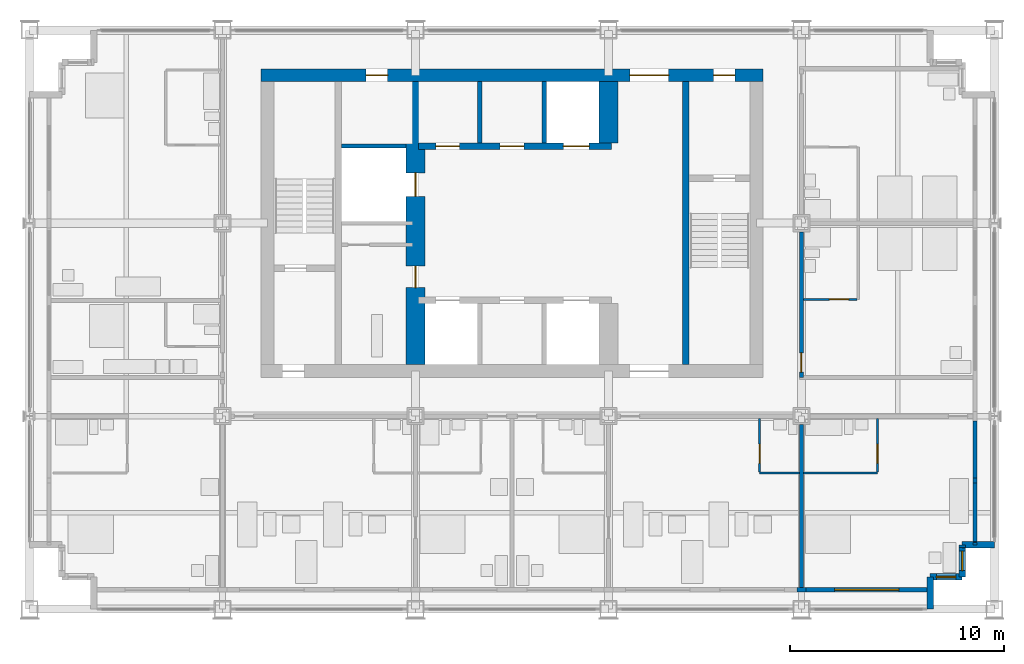
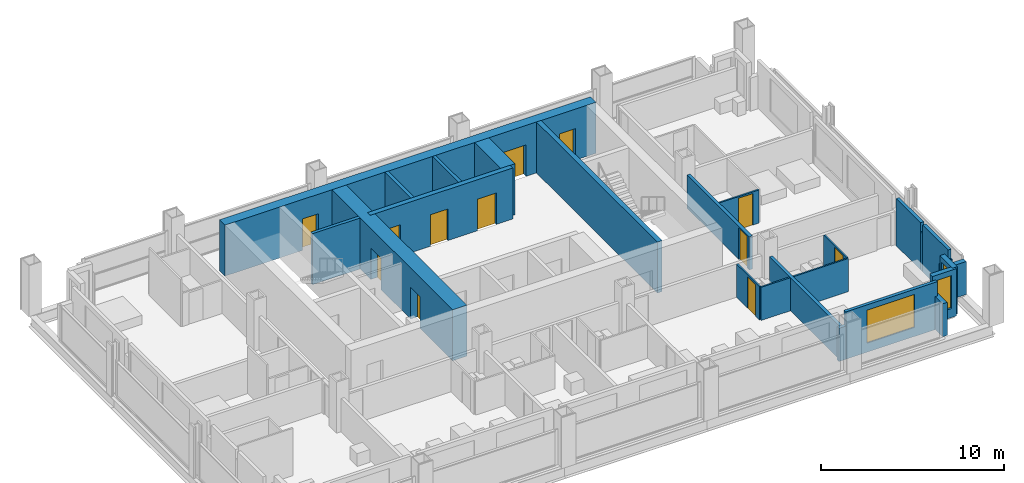
# One storey, part 9 of 13: 26 walls, 12 doors, 3 windows, 15 openings.
"""IFC4 building model written with IfcOpenShell, lengths in metres."""

from ifc_helpers import new_model, si_unit, direction, frame, frame_2d, origin, place, context, subcontext, project, spatial, rectangle, extrude, material, layer, layer_set, type_object, element, fill, save


model = new_model("IFC4")

# Units and contexts
model_context = context("Model", 3, precision=1e-05, world=origin(), true_north=direction((0.0, 1.0)))
body_context = subcontext(model_context, "Body", "Model", "MODEL_VIEW")
ifc_project = project(units=[si_unit("LENGTHUNIT", "METRE"), si_unit("AREAUNIT", "SQUARE_METRE"), si_unit("VOLUMEUNIT", "CUBIC_METRE"), si_unit("PLANEANGLEUNIT", "RADIAN"), si_unit("MASSUNIT", "GRAM", prefix="KILO")], contexts=[model_context])

# Site, building, storey
site_placement = place(None, origin())
site = spatial("IfcSite", under=ifc_project, at=site_placement, CompositionType="ELEMENT")
building_placement = place(site_placement, origin())
building = spatial("IfcBuilding", under=site, at=building_placement, Name="Loomwork Tower", CompositionType="ELEMENT")
storey_placement = place(building_placement, frame((0.0, 0.0, 218.199951171875)))
storey = spatial("IfcBuildingStorey", under=building, at=storey_placement, Name="L60", CompositionType="ELEMENT", Elevation=218.199951171875)

# Wall, openings, doors
ifc_material_1 = material(Name="Concrete 14000 psi (97 MPa)", Category="concrete")
ifc_layer_1 = layer(ifc_material_1, 0.300048828125)
ifc_layer_set_1 = layer_set([ifc_layer_1], Name="Core shear wall 300")
wall_type_1 = type_object("IfcWallType", Name="Core shear wall 300", PredefinedType="SHEAR", material=ifc_layer_set_1)
wall_1_placement = place(storey_placement, frame((18.14990234375, 21.60009765625, 0.0), z_axis=(0.0, 0.0, 1.0), x_axis=(1.0, 0.0, 0.0)))
wall_1 = element("IfcWall", 1, at=wall_1_placement, inside=storey, type_object=wall_type_1, Name="Lift front wall north L60", PredefinedType="SHEAR", context=body_context, shape_type="SweptSolid", body=[
    extrude(rectangle(XDim=9.0, YDim=0.300048828125, at=frame_2d((4.5, 0.0))), origin(), (0.0, 0.0, 1.0), 3.400146484375),
])
opening_1_placement = place(wall_1_placement, frame((6.75, 0.0, 0.0)))
opening_1 = element("IfcOpeningElement", 2, at=opening_1_placement, cuts=wall_1, Name="Opening LD2", PredefinedType="OPENING", context=body_context, shape_type="SweptSolid", body=[
    extrude(rectangle(XDim=1.199951171875, YDim=2.10009765625, at=frame_2d((0.60009765625, 1.050048828125))), frame((0.0, 0.159912109375, 0.0), z_axis=(0.0, -1.0, 0.0), x_axis=(1.0, 0.0, 0.0)), (0.0, 0.0, 1.0), 0.320068359375),
])
opening_2_placement = place(wall_1_placement, frame((0.800048828125, 0.0, 0.0)))
opening_2 = element("IfcOpeningElement", 3, at=opening_2_placement, cuts=wall_1, Name="Opening D17", PredefinedType="OPENING", context=body_context, shape_type="SweptSolid", body=[
    extrude(rectangle(XDim=1.10009765625, YDim=2.10009765625, at=frame_2d((0.550048828125, 1.050048828125))), frame((0.0, 0.159912109375, 0.0), z_axis=(0.0, -1.0, 0.0), x_axis=(1.0, 0.0, 0.0)), (0.0, 0.0, 1.0), 0.320068359375),
])
opening_3_placement = place(wall_1_placement, frame((3.800048828125, 0.0, 0.0)))
opening_3 = element("IfcOpeningElement", 4, at=opening_3_placement, cuts=wall_1, Name="Opening D17", PredefinedType="OPENING", context=body_context, shape_type="SweptSolid", body=[
    extrude(rectangle(XDim=1.10009765625, YDim=2.10009765625, at=frame_2d((0.550048828125, 1.050048828125))), frame((0.0, 0.159912109375, 0.0), z_axis=(0.0, -1.0, 0.0), x_axis=(1.0, 0.0, 0.0)), (0.0, 0.0, 1.0), 0.320068359375),
])
ifc_material_2 = material(Name="Hollow metal door and frame")
door_type_1 = type_object("IfcDoorType", Name="Lift landing door 1200", OperationType="SLIDING_TO_LEFT", PredefinedType="DOOR", material=ifc_material_2)
door_1_placement = place(opening_1_placement, origin())
door_1 = element("IfcDoor", 5, at=door_1_placement, inside=storey, type_object=door_type_1, Name="Lift landing door LF2", OperationType="SLIDING_TO_LEFT", OverallHeight=2.10009765625, OverallWidth=1.199951171875, PredefinedType="DOOR", context=body_context, shape_type="SweptSolid", body=[
    extrude(rectangle(XDim=1.199951171875, YDim=2.10009765625, at=frame_2d((0.60009765625, 1.050048828125))), frame((0.0, 0.02490234375, 0.0), z_axis=(0.0, -1.0, 0.0), x_axis=(1.0, 0.0, 0.0)), (0.0, 0.0, 1.0), 0.050048828125),
])
fill(opening_1, door_1)
ifc_material_3 = material(Name="Hollow metal door and frame")
door_type_2 = type_object("IfcDoorType", Name="Service room door 1100", OperationType="SINGLE_SWING_LEFT", PredefinedType="DOOR", material=ifc_material_3)
door_2_placement = place(opening_2_placement, origin())
door_2 = element("IfcDoor", 6, at=door_2_placement, inside=storey, type_object=door_type_2, Name="Linen and housekeeping store door L60", OperationType="SINGLE_SWING_LEFT", OverallHeight=2.10009765625, OverallWidth=1.10009765625, PredefinedType="DOOR", context=body_context, shape_type="SweptSolid", body=[
    extrude(rectangle(XDim=1.10009765625, YDim=2.10009765625, at=frame_2d((0.550048828125, 1.050048828125))), frame((0.0, 0.02490234375, 0.0), z_axis=(0.0, -1.0, 0.0), x_axis=(1.0, 0.0, 0.0)), (0.0, 0.0, 1.0), 0.050048828125),
])
fill(opening_2, door_2)
door_3_placement = place(opening_3_placement, origin())
door_3 = element("IfcDoor", 7, at=door_3_placement, inside=storey, type_object=door_type_2, Name="IT and communications room door L60", OperationType="SINGLE_SWING_LEFT", OverallHeight=2.10009765625, OverallWidth=1.10009765625, PredefinedType="DOOR", context=body_context, shape_type="SweptSolid", body=[
    extrude(rectangle(XDim=1.10009765625, YDim=2.10009765625, at=frame_2d((0.550048828125, 1.050048828125))), frame((0.0, 0.02490234375, 0.0), z_axis=(0.0, -1.0, 0.0), x_axis=(1.0, 0.0, 0.0)), (0.0, 0.0, 1.0), 0.050048828125),
])
fill(opening_3, door_3)

# Wall
wall_2_placement = place(storey_placement, frame((30.60009765625, 11.39990234375, 0.0), z_axis=(0.0, 0.0, 1.0), x_axis=(0.0, 1.0, 0.0)))
element("IfcWall", 8, at=wall_2_placement, inside=storey, type_object=wall_type_1, Name="Stair B west wall L60", PredefinedType="SHEAR", context=body_context, shape_type="SweptSolid", body=[
    extrude(rectangle(XDim=13.2001953125, YDim=0.300048828125, at=frame_2d((6.60009765625, 0.0))), origin(), (0.0, 0.0, 1.0), 3.400146484375),
])

# Wall, openings, doors
ifc_material_4 = material(Name="Concrete 14000 psi (97 MPa)", Category="concrete")
ifc_layer_2 = layer(ifc_material_4, 0.60009765625)
ifc_layer_set_2 = layer_set([ifc_layer_2], Name="Core shear wall 600")
wall_type_2 = type_object("IfcWallType", Name="Core shear wall 600", PredefinedType="SHEAR", material=ifc_layer_set_2)
wall_3_placement = place(storey_placement, frame((10.800048828125, 24.89990234375, 0.0), z_axis=(0.0, 0.0, 1.0), x_axis=(1.0, 0.0, 0.0)))
wall_3 = element("IfcWall", 9, at=wall_3_placement, inside=storey, type_object=wall_type_2, Name="Core wall north L60", PredefinedType="SHEAR", context=body_context, shape_type="SweptSolid", body=[
    extrude(rectangle(XDim=23.39990234375, YDim=0.60009765625, at=frame_2d((11.699951171875, 0.0))), origin(), (0.0, 0.0, 1.0), 3.400146484375),
])
opening_4_placement = place(wall_3_placement, frame((17.199951171875, 0.0, 0.0)))
opening_4 = element("IfcOpeningElement", 10, at=opening_4_placement, cuts=wall_3, Name="Opening D6", PredefinedType="OPENING", context=body_context, shape_type="SweptSolid", body=[
    extrude(rectangle(XDim=1.800048828125, YDim=2.10009765625, at=frame_2d((0.89990234375, 1.050048828125))), frame((0.0, 0.31005859375, 0.0), z_axis=(0.0, -1.0, 0.0), x_axis=(1.0, 0.0, 0.0)), (0.0, 0.0, 1.0), 0.6201171875),
])
opening_5_placement = place(wall_3_placement, frame((21.10009765625, 0.0, 0.0)))
opening_5 = element("IfcOpeningElement", 11, at=opening_5_placement, cuts=wall_3, Name="Opening D4", PredefinedType="OPENING", context=body_context, shape_type="SweptSolid", body=[
    extrude(rectangle(XDim=1.0, YDim=2.10009765625, at=frame_2d((0.5, 1.050048828125))), frame((0.0, 0.31005859375, 0.0), z_axis=(0.0, -1.0, 0.0), x_axis=(1.0, 0.0, 0.0)), (0.0, 0.0, 1.0), 0.6201171875),
])
opening_6_placement = place(wall_3_placement, frame((4.89990234375, 0.0, 0.0)))
opening_6 = element("IfcOpeningElement", 12, at=opening_6_placement, cuts=wall_3, Name="Opening D5", PredefinedType="OPENING", context=body_context, shape_type="SweptSolid", body=[
    extrude(rectangle(XDim=1.0, YDim=2.10009765625, at=frame_2d((0.5, 1.050048828125))), frame((0.0, 0.31005859375, 0.0), z_axis=(0.0, -1.0, 0.0), x_axis=(1.0, 0.0, 0.0)), (0.0, 0.0, 1.0), 0.6201171875),
])
ifc_material_5 = material(Name="Hollow metal door and frame")
door_type_3 = type_object("IfcDoorType", Name="Lobby passage double door 1800", OperationType="DOUBLE_DOOR_SINGLE_SWING", PredefinedType="DOOR", material=ifc_material_5)
door_4_placement = place(opening_4_placement, frame((1.800048828125, 0.0, 0.0), z_axis=(0.0, 0.0, 1.0), x_axis=(-1.0, 0.0, 0.0)))
door_4 = element("IfcDoor", 13, at=door_4_placement, inside=storey, type_object=door_type_3, Name="Lobby passage door north", OperationType="DOUBLE_DOOR_SINGLE_SWING", OverallHeight=2.10009765625, OverallWidth=1.800048828125, PredefinedType="DOOR", context=body_context, shape_type="SweptSolid", body=[
    extrude(rectangle(XDim=1.800048828125, YDim=2.10009765625, at=frame_2d((0.89990234375, 1.050048828125))), frame((0.0, 0.02490234375, 0.0), z_axis=(0.0, -1.0, 0.0), x_axis=(1.0, 0.0, 0.0)), (0.0, 0.0, 1.0), 0.050048828125),
])
fill(opening_4, door_4)
ifc_material_6 = material(Name="Hollow metal door and frame")
door_type_4 = type_object("IfcDoorType", Name="Service door 1000", OperationType="SINGLE_SWING_LEFT", PredefinedType="DOOR", material=ifc_material_6)
door_5_placement = place(opening_6_placement, frame((1.0, 0.0, 0.0), z_axis=(0.0, 0.0, 1.0), x_axis=(-1.0, 0.0, 0.0)))
door_5 = element("IfcDoor", 14, at=door_5_placement, inside=storey, type_object=door_type_4, Name="Back-of-house door north", OperationType="SINGLE_SWING_LEFT", OverallHeight=2.10009765625, OverallWidth=1.0, PredefinedType="DOOR", context=body_context, shape_type="SweptSolid", body=[
    extrude(rectangle(XDim=1.0, YDim=2.10009765625, at=frame_2d((0.5, 1.050048828125))), frame((0.0, 0.02490234375, 0.0), z_axis=(0.0, -1.0, 0.0), x_axis=(1.0, 0.0, 0.0)), (0.0, 0.0, 1.0), 0.050048828125),
])
fill(opening_6, door_5)
ifc_material_7 = material(Name="Hollow metal door and frame")
door_type_5 = type_object("IfcDoorType", Name="Stair door 1000", OperationType="SINGLE_SWING_RIGHT", PredefinedType="DOOR", material=ifc_material_7)
door_6_placement = place(opening_5_placement, frame((1.0, 0.0, 0.0), z_axis=(0.0, 0.0, 1.0), x_axis=(-1.0, 0.0, 0.0)))
door_6 = element("IfcDoor", 15, at=door_6_placement, inside=storey, type_object=door_type_5, Name="Stair B vestibule door", OperationType="SINGLE_SWING_LEFT", OverallHeight=2.10009765625, OverallWidth=1.0, PredefinedType="DOOR", context=body_context, shape_type="SweptSolid", body=[
    extrude(rectangle(XDim=1.0, YDim=2.10009765625, at=frame_2d((0.5, 1.050048828125))), frame((0.0, 0.02490234375, 0.0), z_axis=(0.0, -1.0, 0.0), x_axis=(1.0, 0.0, 0.0)), (0.0, 0.0, 1.0), 0.050048828125),
])
fill(opening_5, door_6)

ifc_material_8 = material(Name="Concrete 14000 psi (97 MPa)", Category="concrete")
ifc_layer_3 = layer(ifc_material_8, 0.89990234375)
ifc_layer_set_3 = layer_set([ifc_layer_3], Name="Core shear wall 900")
wall_type_3 = type_object("IfcWallType", Name="Core shear wall 900", PredefinedType="SHEAR", material=ifc_layer_set_3)
wall_4_placement = place(storey_placement, frame((18.0, 11.39990234375, 0.0), z_axis=(0.0, 0.0, 1.0), x_axis=(0.0, 1.0, 0.0)))
wall_4 = element("IfcWall", 16, at=wall_4_placement, inside=storey, type_object=wall_type_3, Name="Lobby west wall L60", PredefinedType="SHEAR", context=body_context, shape_type="SweptSolid", body=[
    extrude(rectangle(XDim=13.2001953125, YDim=0.89990234375, at=frame_2d((6.60009765625, 0.0))), origin(), (0.0, 0.0, 1.0), 3.400146484375),
])
opening_7_placement = place(wall_4_placement, frame((3.60009765625, 0.0, 0.0)))
opening_7 = element("IfcOpeningElement", 17, at=opening_7_placement, cuts=wall_4, Name="Opening D5", PredefinedType="OPENING", context=body_context, shape_type="SweptSolid", body=[
    extrude(rectangle(XDim=1.0, YDim=2.10009765625, at=frame_2d((0.5, 1.050048828125))), frame((0.0, 0.4599609375, 0.0), z_axis=(0.0, -1.0, 0.0), x_axis=(1.0, 0.0, 0.0)), (0.0, 0.0, 1.0), 0.919921875),
])
opening_8_placement = place(wall_4_placement, frame((7.85009765625, 0.0, 0.0)))
opening_8 = element("IfcOpeningElement", 18, at=opening_8_placement, cuts=wall_4, Name="Opening LD1", PredefinedType="OPENING", context=body_context, shape_type="SweptSolid", body=[
    extrude(rectangle(XDim=1.10009765625, YDim=2.10009765625, at=frame_2d((0.550048828125, 1.050048828125))), frame((0.0, 0.4599609375, 0.0), z_axis=(0.0, -1.0, 0.0), x_axis=(1.0, 0.0, 0.0)), (0.0, 0.0, 1.0), 0.919921875),
])
ifc_material_9 = material(Name="Hollow metal door and frame")
door_type_6 = type_object("IfcDoorType", Name="Lift landing door 1100", OperationType="SLIDING_TO_LEFT", PredefinedType="DOOR", material=ifc_material_9)
door_7_placement = place(opening_8_placement, origin())
door_7 = element("IfcDoor", 19, at=door_7_placement, inside=storey, type_object=door_type_6, Name="Lift landing door LC2", OperationType="SLIDING_TO_LEFT", OverallHeight=2.10009765625, OverallWidth=1.10009765625, PredefinedType="DOOR", context=body_context, shape_type="SweptSolid", body=[
    extrude(rectangle(XDim=1.10009765625, YDim=2.10009765625, at=frame_2d((0.550048828125, 1.050048828125))), frame((0.0, 0.02490234375, 0.0), z_axis=(0.0, -1.0, 0.0), x_axis=(1.0, 0.0, 0.0)), (0.0, 0.0, 1.0), 0.050048828125),
])
fill(opening_8, door_7)
door_8_placement = place(opening_7_placement, origin())
door_8 = element("IfcDoor", 20, at=door_8_placement, inside=storey, type_object=door_type_4, Name="Back-of-house door south", OperationType="SINGLE_SWING_LEFT", OverallHeight=2.10009765625, OverallWidth=1.0, PredefinedType="DOOR", context=body_context, shape_type="SweptSolid", body=[
    extrude(rectangle(XDim=1.0, YDim=2.10009765625, at=frame_2d((0.5, 1.050048828125))), frame((0.0, 0.02490234375, 0.0), z_axis=(0.0, -1.0, 0.0), x_axis=(1.0, 0.0, 0.0)), (0.0, 0.0, 1.0), 0.050048828125),
])
fill(opening_7, door_8)

# Wall
wall_5_placement = place(storey_placement, frame((27.0, 21.75, 0.0), z_axis=(0.0, 0.0, 1.0), x_axis=(0.0, 1.0, 0.0)))
element("IfcWall", 21, at=wall_5_placement, inside=storey, type_object=wall_type_3, Name="Lift shaft end wall north L60", PredefinedType="SHEAR", context=body_context, shape_type="SweptSolid", body=[
    extrude(rectangle(XDim=2.85009765625, YDim=0.89990234375, at=frame_2d((1.425048828125, 0.0))), origin(), (0.0, 0.0, 1.0), 3.400146484375),
])

# Wall, opening, door
ifc_material_10 = material(Name="Gypsum board on steel studs, one-hour", Category="steel")
ifc_layer_4 = layer(ifc_material_10, 0.199951171875)
ifc_layer_set_4 = layer_set([ifc_layer_4], Name="Corridor wall 200")
wall_type_4 = type_object("IfcWallType", Name="Corridor wall 200", PredefinedType="PARTITIONING", material=ifc_layer_set_4)
wall_6_placement = place(storey_placement, frame((36.0, 10.800048828125, 0.0), z_axis=(0.0, 0.0, 1.0), x_axis=(0.0, 1.0, 0.0)))
wall_6 = element("IfcWall", 22, at=wall_6_placement, inside=storey, type_object=wall_type_4, Name="East corridor wall 1", PredefinedType="PARTITIONING", context=body_context, shape_type="SweptSolid", body=[
    extrude(rectangle(XDim=6.800048828125, YDim=0.199951171875, at=frame_2d((3.39990234375, 0.0))), origin(), (0.0, 0.0, 1.0), 2.210205078125),
])
opening_9_placement = place(wall_6_placement, frame((0.25, 0.0, 0.0)))
opening_9 = element("IfcOpeningElement", 23, at=opening_9_placement, cuts=wall_6, Name="Opening D1", PredefinedType="OPENING", context=body_context, shape_type="SweptSolid", body=[
    extrude(rectangle(XDim=0.89990234375, YDim=2.10009765625, at=frame_2d((0.449951171875, 1.050048828125))), frame((0.0, 0.10986328125, 0.0), z_axis=(0.0, -1.0, 0.0), x_axis=(1.0, 0.0, 0.0)), (0.0, 0.0, 1.0), 0.219970703125),
])
ifc_material_11 = material(Name="Hollow metal door and frame")
door_type_7 = type_object("IfcDoorType", Name="Guest room entry door 900", OperationType="SINGLE_SWING_LEFT", PredefinedType="DOOR", material=ifc_material_11)
door_9_placement = place(opening_9_placement, frame((0.89990234375, 0.0, 0.0), z_axis=(0.0, 0.0, 1.0), x_axis=(-1.0, 0.0, 0.0)))
door_9 = element("IfcDoor", 24, at=door_9_placement, inside=storey, type_object=door_type_7, Name="Guest room entry door L60 9", OperationType="SINGLE_SWING_RIGHT", OverallHeight=2.10009765625, OverallWidth=0.89990234375, PredefinedType="DOOR", context=body_context, shape_type="SweptSolid", body=[
    extrude(rectangle(XDim=0.89990234375, YDim=2.10009765625, at=frame_2d((0.449951171875, 1.050048828125))), frame((0.0, 0.02490234375, 0.0), z_axis=(0.0, -1.0, 0.0), x_axis=(1.0, 0.0, 0.0)), (0.0, 0.0, 1.0), 0.050048828125),
])
fill(opening_9, door_9)

# Wall
ifc_material_12 = material(Name="Cement board on steel studs", Category="steel")
ifc_layer_5 = layer(ifc_material_12, 0.10009765625)
ifc_layer_set_5 = layer_set([ifc_layer_5], Name="En-suite partition 100")
wall_type_5 = type_object("IfcWallType", Name="En-suite partition 100", PredefinedType="PARTITIONING", material=ifc_layer_set_5)
wall_7_placement = place(storey_placement, frame((34.050048828125, 6.35009765625, 0.0), z_axis=(0.0, 0.0, 1.0), x_axis=(1.0, 0.0, 0.0)))
element("IfcWall", 25, at=wall_7_placement, inside=storey, type_object=wall_type_5, Name="En-suite wall L60 room 5", PredefinedType="PARTITIONING", context=body_context, shape_type="SweptSolid", body=[
    extrude(rectangle(XDim=1.849853515625, YDim=0.10009765625, at=frame_2d((0.9248046875, 0.0))), origin(), (0.0, 0.0, 1.0), 2.2099609375),
])

# Wall, opening, door
wall_8_placement = place(storey_placement, frame((34.050048828125, 8.89990234375, 0.0), z_axis=(0.0, 0.0, 1.0), x_axis=(0.0, -1.0, 0.0)))
wall_8 = element("IfcWall", 26, at=wall_8_placement, inside=storey, type_object=wall_type_5, Name="En-suite side wall L60 room 5", PredefinedType="PARTITIONING", context=body_context, shape_type="SweptSolid", body=[
    extrude(rectangle(XDim=2.5, YDim=0.10009765625, at=frame_2d((1.25, 0.0))), origin(), (0.0, 0.0, 1.0), 2.2099609375),
])
opening_10_placement = place(wall_8_placement, frame((1.199951171875, 0.0, 0.0)))
opening_10 = element("IfcOpeningElement", 27, at=opening_10_placement, cuts=wall_8, Name="Opening D2", PredefinedType="OPENING", context=body_context, shape_type="SweptSolid", body=[
    extrude(rectangle(XDim=0.89990234375, YDim=2.10009765625, at=frame_2d((0.449951171875, 1.050048828125))), frame((0.0, 0.06005859375, 0.0), z_axis=(0.0, -1.0, 0.0), x_axis=(1.0, 0.0, 0.0)), (0.0, 0.0, 1.0), 0.1201171875),
])
ifc_material_13 = material(Name="Hollow metal door and frame")
door_type_8 = type_object("IfcDoorType", Name="En-suite door 900", OperationType="SINGLE_SWING_LEFT", PredefinedType="DOOR", material=ifc_material_13)
door_10_placement = place(opening_10_placement, origin())
door_10 = element("IfcDoor", 28, at=door_10_placement, inside=storey, type_object=door_type_8, Name="Suite powder room door room 5", OperationType="SINGLE_SWING_RIGHT", OverallHeight=2.10009765625, OverallWidth=0.89990234375, PredefinedType="DOOR", context=body_context, shape_type="SweptSolid", body=[
    extrude(rectangle(XDim=0.89990234375, YDim=2.10009765625, at=frame_2d((0.449951171875, 1.050048828125))), frame((0.0, 0.02490234375, 0.0), z_axis=(0.0, -1.0, 0.0), x_axis=(1.0, 0.0, 0.0)), (0.0, 0.0, 1.0), 0.050048828125),
])
fill(opening_10, door_10)

# Wall
wall_9_placement = place(storey_placement, frame((36.10009765625, 6.35009765625, 0.0), z_axis=(0.0, 0.0, 1.0), x_axis=(1.0, 0.0, 0.0)))
element("IfcWall", 29, at=wall_9_placement, inside=storey, type_object=wall_type_5, Name="En-suite wall L60 room 6", PredefinedType="PARTITIONING", context=body_context, shape_type="SweptSolid", body=[
    extrude(rectangle(XDim=3.449951171875, YDim=0.10009765625, at=frame_2d((1.72509765625, 0.0))), origin(), (0.0, 0.0, 1.0), 2.2099609375),
])

# Wall, opening, door
wall_10_placement = place(storey_placement, frame((39.550048828125, 8.89990234375, 0.0), z_axis=(0.0, 0.0, 1.0), x_axis=(0.0, -1.0, 0.0)))
wall_10 = element("IfcWall", 30, at=wall_10_placement, inside=storey, type_object=wall_type_5, Name="En-suite side wall L60 room 6", PredefinedType="PARTITIONING", context=body_context, shape_type="SweptSolid", body=[
    extrude(rectangle(XDim=2.5, YDim=0.10009765625, at=frame_2d((1.25, 0.0))), origin(), (0.0, 0.0, 1.0), 2.2099609375),
])
opening_11_placement = place(wall_10_placement, frame((1.199951171875, 0.0, 0.0)))
opening_11 = element("IfcOpeningElement", 31, at=opening_11_placement, cuts=wall_10, Name="Opening D2", PredefinedType="OPENING", context=body_context, shape_type="SweptSolid", body=[
    extrude(rectangle(XDim=0.89990234375, YDim=2.10009765625, at=frame_2d((0.449951171875, 1.050048828125))), frame((0.0, 0.06005859375, 0.0), z_axis=(0.0, -1.0, 0.0), x_axis=(1.0, 0.0, 0.0)), (0.0, 0.0, 1.0), 0.1201171875),
])
door_11_placement = place(opening_11_placement, frame((0.89990234375, 0.0, 0.0), z_axis=(0.0, 0.0, 1.0), x_axis=(-1.0, 0.0, 0.0)))
door_11 = element("IfcDoor", 32, at=door_11_placement, inside=storey, type_object=door_type_8, Name="En-suite door room 6", OperationType="SINGLE_SWING_LEFT", OverallHeight=2.10009765625, OverallWidth=0.89990234375, PredefinedType="DOOR", context=body_context, shape_type="SweptSolid", body=[
    extrude(rectangle(XDim=0.89990234375, YDim=2.10009765625, at=frame_2d((0.449951171875, 1.050048828125))), frame((0.0, 0.02490234375, 0.0), z_axis=(0.0, -1.0, 0.0), x_axis=(1.0, 0.0, 0.0)), (0.0, 0.0, 1.0), 0.050048828125),
])
fill(opening_11, door_11)

wall_11_placement = place(storey_placement, frame((36.10009765625, 14.449951171875, 0.0), z_axis=(0.0, 0.0, 1.0), x_axis=(1.0, 0.0, 0.0)))
wall_11 = element("IfcWall", 33, at=wall_11_placement, inside=storey, type_object=wall_type_5, Name="En-suite side wall L60 room 9", PredefinedType="PARTITIONING", context=body_context, shape_type="SweptSolid", body=[
    extrude(rectangle(XDim=2.5, YDim=0.10009765625, at=frame_2d((1.25, 0.0))), origin(), (0.0, 0.0, 1.0), 2.2099609375),
])
opening_12_placement = place(wall_11_placement, frame((1.199951171875, 0.0, 0.0)))
opening_12 = element("IfcOpeningElement", 34, at=opening_12_placement, cuts=wall_11, Name="Opening D2", PredefinedType="OPENING", context=body_context, shape_type="SweptSolid", body=[
    extrude(rectangle(XDim=0.89990234375, YDim=2.10009765625, at=frame_2d((0.449951171875, 1.050048828125))), frame((0.0, 0.06005859375, 0.0), z_axis=(0.0, -1.0, 0.0), x_axis=(1.0, 0.0, 0.0)), (0.0, 0.0, 1.0), 0.1201171875),
])
door_12_placement = place(opening_12_placement, origin())
door_12 = element("IfcDoor", 35, at=door_12_placement, inside=storey, type_object=door_type_8, Name="En-suite door room 9", OperationType="SINGLE_SWING_RIGHT", OverallHeight=2.10009765625, OverallWidth=0.89990234375, PredefinedType="DOOR", context=body_context, shape_type="SweptSolid", body=[
    extrude(rectangle(XDim=0.89990234375, YDim=2.10009765625, at=frame_2d((0.449951171875, 1.050048828125))), frame((0.0, 0.02490234375, 0.0), z_axis=(0.0, -1.0, 0.0), x_axis=(1.0, 0.0, 0.0)), (0.0, 0.0, 1.0), 0.050048828125),
])
fill(opening_12, door_12)

# Walls
ifc_material_14 = material(Name="Gypsum board on steel studs, acoustic", Category="steel")
ifc_layer_6 = layer(ifc_material_14, 0.199951171875)
ifc_layer_set_6 = layer_set([ifc_layer_6], Name="Guest room party wall 200")
wall_type_6 = type_object("IfcWallType", Name="Guest room party wall 200", PredefinedType="PARTITIONING", material=ifc_layer_set_6)
wall_12_placement = place(storey_placement, frame((36.0, 8.60009765625, 0.0), z_axis=(0.0, 0.0, 1.0), x_axis=(0.0, -1.0, 0.0)))
element("IfcWall", 36, at=wall_12_placement, inside=storey, type_object=wall_type_6, Name="Guest room party wall S 36", PredefinedType="PARTITIONING", context=body_context, shape_type="SweptSolid", body=[
    extrude(rectangle(XDim=7.60009765625, YDim=0.199951171875, at=frame_2d((3.800048828125, 0.0))), origin(), (0.0, 0.0, 1.0), 2.210205078125),
])
ifc_material_15 = material(Name="Insulated steel stud wall with gypsum lining", Category="steel")
ifc_layer_7 = layer(ifc_material_15, 0.199951171875)
ifc_layer_set_7 = layer_set([ifc_layer_7], Name="Inner skin wall 200")
wall_type_7 = type_object("IfcWallType", Name="Inner skin wall 200", PredefinedType="SOLIDWALL", material=ifc_layer_set_7)
wall_13_placement = place(storey_placement, frame((44.10009765625, 3.0, 0.0), z_axis=(0.0, 0.0, 1.0), x_axis=(0.0, 1.0, 0.0)))
element("IfcWall", 37, at=wall_13_placement, inside=storey, type_object=wall_type_7, Name="Inner skin wall E", PredefinedType="SOLIDWALL", context=body_context, shape_type="SweptSolid", body=[
    extrude(rectangle(XDim=0.1162109375, YDim=0.199951171875, at=frame_2d((0.05810546875, 0.0))), origin(), (0.0, 0.0, 1.0), 2.5419921875),
])
wall_14_placement = place(storey_placement, frame((35.78466796875, 0.89990234375, 0.0), z_axis=(0.0, 0.0, 1.0), x_axis=(1.0, 0.0, 0.0)))
element("IfcWall", 38, at=wall_14_placement, inside=storey, type_object=wall_type_7, Name="Inner skin wall S bay 8", PredefinedType="SOLIDWALL", context=body_context, shape_type="SweptSolid", body=[
    extrude(rectangle(XDim=0.4306640625, YDim=0.199951171875, at=frame_2d((0.21533203125, 0.0))), origin(), (0.0, 0.0, 1.0), 2.2099609375),
])

# Wall, opening, window
wall_15_placement = place(storey_placement, frame((36.21533203125, 0.89990234375, 0.0), z_axis=(0.0, 0.0, 1.0), x_axis=(1.0, 0.0, 0.0)))
wall_15 = element("IfcWall", 39, at=wall_15_placement, inside=storey, type_object=wall_type_7, Name="Inner skin wall S bay 9", PredefinedType="SOLIDWALL", context=body_context, shape_type="SweptSolid", body=[
    extrude(rectangle(XDim=5.78466796875, YDim=0.199951171875, at=frame_2d((2.892333984375, 0.0))), origin(), (0.0, 0.0, 1.0), 3.150146484375),
])
opening_13_placement = place(wall_15_placement, frame((1.334716796875, 0.0, 0.60009765625)))
opening_13 = element("IfcOpeningElement", 40, at=opening_13_placement, cuts=wall_15, Name="Opening CH1", PredefinedType="OPENING", context=body_context, shape_type="SweptSolid", body=[
    extrude(rectangle(XDim=3.0, YDim=2.199951171875, at=frame_2d((1.5, 1.10009765625))), frame((0.0, 0.10986328125, 0.0), z_axis=(0.0, -1.0, 0.0), x_axis=(1.0, 0.0, 0.0)), (0.0, 0.0, 1.0), 0.219970703125),
])
ifc_material_16 = material(Name="Aluminium frame with clear insulated glass", Category="aluminium")
window_type_1 = type_object("IfcWindowType", Name="Chicago window 3000", PartitioningType="TRIPLE_PANEL_VERTICAL", PredefinedType="WINDOW", material=ifc_material_16)
window_1_placement = place(opening_13_placement, origin())
window_1 = element("IfcWindow", 41, at=window_1_placement, inside=storey, type_object=window_type_1, Name="Chicago window L60 bay 5", OverallHeight=2.199951171875, OverallWidth=3.0, PartitioningType="TRIPLE_PANEL_VERTICAL", PredefinedType="WINDOW", context=body_context, shape_type="SweptSolid", body=[
    extrude(rectangle(XDim=3.0, YDim=2.199951171875, at=frame_2d((1.5, 1.10009765625))), frame((0.0, 0.030029296875, 0.0), z_axis=(0.0, -1.0, 0.0), x_axis=(1.0, 0.0, 0.0)), (0.0, 0.0, 1.0), 0.06005859375),
])
fill(opening_13, window_1)

# Walls
wall_16_placement = place(storey_placement, frame((44.10009765625, 3.1162109375, 0.0), z_axis=(0.0, 0.0, 1.0), x_axis=(0.0, 1.0, 0.0)))
element("IfcWall", 42, at=wall_16_placement, inside=storey, type_object=wall_type_7, Name="Inner skin wall E bay 2", PredefinedType="SOLIDWALL", context=body_context, shape_type="SweptSolid", body=[
    extrude(rectangle(XDim=2.767578125, YDim=0.199951171875, at=frame_2d((1.3837890625, 0.0))), origin(), (0.0, 0.0, 1.0), 3.150146484375),
])
wall_17_placement = place(storey_placement, frame((44.10009765625, 5.8837890625, 0.0), z_axis=(0.0, 0.0, 1.0), x_axis=(0.0, 1.0, 0.0)))
element("IfcWall", 43, at=wall_17_placement, inside=storey, type_object=wall_type_7, Name="Inner skin wall E bay 3", PredefinedType="SOLIDWALL", context=body_context, shape_type="SweptSolid", body=[
    extrude(rectangle(XDim=0.232421875, YDim=0.199951171875, at=frame_2d((0.1162109375, 0.0))), origin(), (0.0, 0.0, 1.0), 2.5419921875),
])
wall_18_placement = place(storey_placement, frame((44.10009765625, 6.1162109375, 0.0), z_axis=(0.0, 0.0, 1.0), x_axis=(0.0, 1.0, 0.0)))
element("IfcWall", 44, at=wall_18_placement, inside=storey, type_object=wall_type_7, Name="Inner skin wall E bay 4", PredefinedType="SOLIDWALL", context=body_context, shape_type="SweptSolid", body=[
    extrude(rectangle(XDim=2.66845703125, YDim=0.199951171875, at=frame_2d((1.334228515625, 0.0))), origin(), (0.0, 0.0, 1.0), 3.150146484375),
])
ifc_material_17 = material(Name="Concrete 14000 psi (97 MPa)", Category="concrete")
ifc_layer_8 = layer(ifc_material_17, 0.199951171875)
ifc_layer_set_8 = layer_set([ifc_layer_8], Name="Lift shaft wall 200")
wall_type_8 = type_object("IfcWallType", Name="Lift shaft wall 200", PredefinedType="SHEAR", material=ifc_layer_set_8)
for number, where, z_axis, x_axis, name in (
    (45, (21.0, 21.75, 0.0), (0.0, 0.0, 1.0), (0.0, 1.0, 0.0), "Lift shaft separation wall north 1 L60"),
    (46, (24.0, 21.75, 0.0), (0.0, 0.0, 1.0), (0.0, 1.0, 0.0), "Lift shaft separation wall north 2 L60"),
):
    element("IfcWall", number, at=place(storey_placement, frame(where, z_axis=z_axis, x_axis=x_axis)), inside=storey, type_object=wall_type_8, Name=name, PredefinedType="SHEAR", context=body_context, shape_type="SweptSolid", body=[
        extrude(rectangle(XDim=2.85009765625, YDim=0.199951171875, at=frame_2d((1.425048828125, 0.0))), origin(), (0.0, 0.0, 1.0), 3.400146484375),
    ])
wall_19_placement = place(storey_placement, frame((14.550048828125, 21.60009765625, 0.0), z_axis=(0.0, 0.0, 1.0), x_axis=(1.0, 0.0, 0.0)))
element("IfcWall", 47, at=wall_19_placement, inside=storey, type_object=wall_type_8, Name="Lift shaft wall west north L60", PredefinedType="SHEAR", context=body_context, shape_type="SweptSolid", body=[
    extrude(rectangle(XDim=3.0, YDim=0.199951171875, at=frame_2d((1.5, 0.0))), origin(), (0.0, 0.0, 1.0), 3.400146484375),
])
ifc_material_18 = material(Name="Limestone on concrete masonry", Category="masonry")
ifc_layer_9 = layer(ifc_material_18, 0.300048828125)
ifc_layer_set_9 = layer_set([ifc_layer_9], Name="Limestone corner wall 300")
wall_type_9 = type_object("IfcWallType", Name="Limestone corner wall 300", PredefinedType="SOLIDWALL", material=ifc_layer_set_9)
wall_20_placement = place(storey_placement, frame((42.0, 0.0, 0.0), z_axis=(0.0, 0.0, 1.0), x_axis=(0.0, 1.0, 0.0)))
element("IfcWall", 48, at=wall_20_placement, inside=storey, type_object=wall_type_9, Name="Stone corner wall SE 1", PredefinedType="SOLIDWALL", context=body_context, shape_type="SweptSolid", body=[
    extrude(rectangle(XDim=1.5, YDim=0.300048828125, at=frame_2d((0.75, 0.0))), origin(), (0.0, 0.0, 1.0), 2.2021484375),
])

# Wall, opening, window
wall_21_placement = place(storey_placement, frame((42.0, 1.5, 0.0), z_axis=(0.0, 0.0, 1.0), x_axis=(1.0, 0.0, 0.0)))
wall_21 = element("IfcWall", 49, at=wall_21_placement, inside=storey, type_object=wall_type_9, Name="Stone corner wall SE 2", PredefinedType="SOLIDWALL", context=body_context, shape_type="SweptSolid", body=[
    extrude(rectangle(XDim=1.5, YDim=0.300048828125, at=frame_2d((0.75, 0.0))), origin(), (0.0, 0.0, 1.0), 3.150146484375),
])
opening_14_placement = place(wall_21_placement, frame((0.300048828125, 0.0, 0.60009765625)))
opening_14 = element("IfcOpeningElement", 50, at=opening_14_placement, cuts=wall_21, Name="Opening CH2", PredefinedType="OPENING", context=body_context, shape_type="SweptSolid", body=[
    extrude(rectangle(XDim=0.89990234375, YDim=2.199951171875, at=frame_2d((0.449951171875, 1.10009765625))), frame((0.0, 0.159912109375, 0.0), z_axis=(0.0, -1.0, 0.0), x_axis=(1.0, 0.0, 0.0)), (0.0, 0.0, 1.0), 0.320068359375),
])
ifc_material_19 = material(Name="Aluminium frame with clear insulated glass", Category="aluminium")
window_type_2 = type_object("IfcWindowType", Name="Corner window 900", PartitioningType="SINGLE_PANEL", PredefinedType="WINDOW", material=ifc_material_19)
window_2_placement = place(opening_14_placement, origin())
window_2 = element("IfcWindow", 51, at=window_2_placement, inside=storey, type_object=window_type_2, Name="Corner window SE", OverallHeight=2.199951171875, OverallWidth=0.89990234375, PartitioningType="SINGLE_PANEL", PredefinedType="WINDOW", context=body_context, shape_type="SweptSolid", body=[
    extrude(rectangle(XDim=0.89990234375, YDim=2.199951171875, at=frame_2d((0.449951171875, 1.10009765625))), frame((0.0, 0.030029296875, 0.0), z_axis=(0.0, -1.0, 0.0), x_axis=(1.0, 0.0, 0.0)), (0.0, 0.0, 1.0), 0.06005859375),
])
fill(opening_14, window_2)

wall_22_placement = place(storey_placement, frame((43.5, 1.5, 0.0), z_axis=(0.0, 0.0, 1.0), x_axis=(0.0, 1.0, 0.0)))
wall_22 = element("IfcWall", 52, at=wall_22_placement, inside=storey, type_object=wall_type_9, Name="Stone corner wall SE 3", PredefinedType="SOLIDWALL", context=body_context, shape_type="SweptSolid", body=[
    extrude(rectangle(XDim=1.3837890625, YDim=0.300048828125, at=frame_2d((0.69189453125, 0.0))), origin(), (0.0, 0.0, 1.0), 3.150146484375),
])
opening_15_placement = place(wall_22_placement, frame((0.300048828125, 0.0, 0.60009765625)))
opening_15 = element("IfcOpeningElement", 53, at=opening_15_placement, cuts=wall_22, Name="Opening CH2", PredefinedType="OPENING", context=body_context, shape_type="SweptSolid", body=[
    extrude(rectangle(XDim=0.89990234375, YDim=2.199951171875, at=frame_2d((0.449951171875, 1.10009765625))), frame((0.0, 0.159912109375, 0.0), z_axis=(0.0, -1.0, 0.0), x_axis=(1.0, 0.0, 0.0)), (0.0, 0.0, 1.0), 0.320068359375),
])
window_3_placement = place(opening_15_placement, origin())
window_3 = element("IfcWindow", 54, at=window_3_placement, inside=storey, type_object=window_type_2, Name="Corner window SE", OverallHeight=2.199951171875, OverallWidth=0.89990234375, PartitioningType="SINGLE_PANEL", PredefinedType="WINDOW", context=body_context, shape_type="SweptSolid", body=[
    extrude(rectangle(XDim=0.89990234375, YDim=2.199951171875, at=frame_2d((0.449951171875, 1.10009765625))), frame((0.0, 0.030029296875, 0.0), z_axis=(0.0, -1.0, 0.0), x_axis=(1.0, 0.0, 0.0)), (0.0, 0.0, 1.0), 0.06005859375),
])
fill(opening_15, window_3)

# Walls
wall_23_placement = place(storey_placement, frame((43.5, 3.0, 0.0), z_axis=(0.0, 0.0, 1.0), x_axis=(1.0, 0.0, 0.0)))
element("IfcWall", 55, at=wall_23_placement, inside=storey, type_object=wall_type_9, Name="Stone corner wall SE 4", PredefinedType="SOLIDWALL", context=body_context, shape_type="SweptSolid", body=[
    extrude(rectangle(XDim=1.5, YDim=0.300048828125, at=frame_2d((0.75, 0.0))), origin(), (0.0, 0.0, 1.0), 2.2021484375),
])
wall_24_placement = place(storey_placement, frame((43.5, 2.8837890625, 0.0), z_axis=(0.0, 0.0, 1.0), x_axis=(0.0, 1.0, 0.0)))
element("IfcWall", 56, at=wall_24_placement, inside=storey, type_object=wall_type_9, Name="Stone corner wall SE 3 bay 2", PredefinedType="SOLIDWALL", context=body_context, shape_type="SweptSolid", body=[
    extrude(rectangle(XDim=0.1162109375, YDim=0.300048828125, at=frame_2d((0.05810546875, 0.0))), origin(), (0.0, 0.0, 1.0), 2.5419921875),
])

save(model, "model.ifc")
